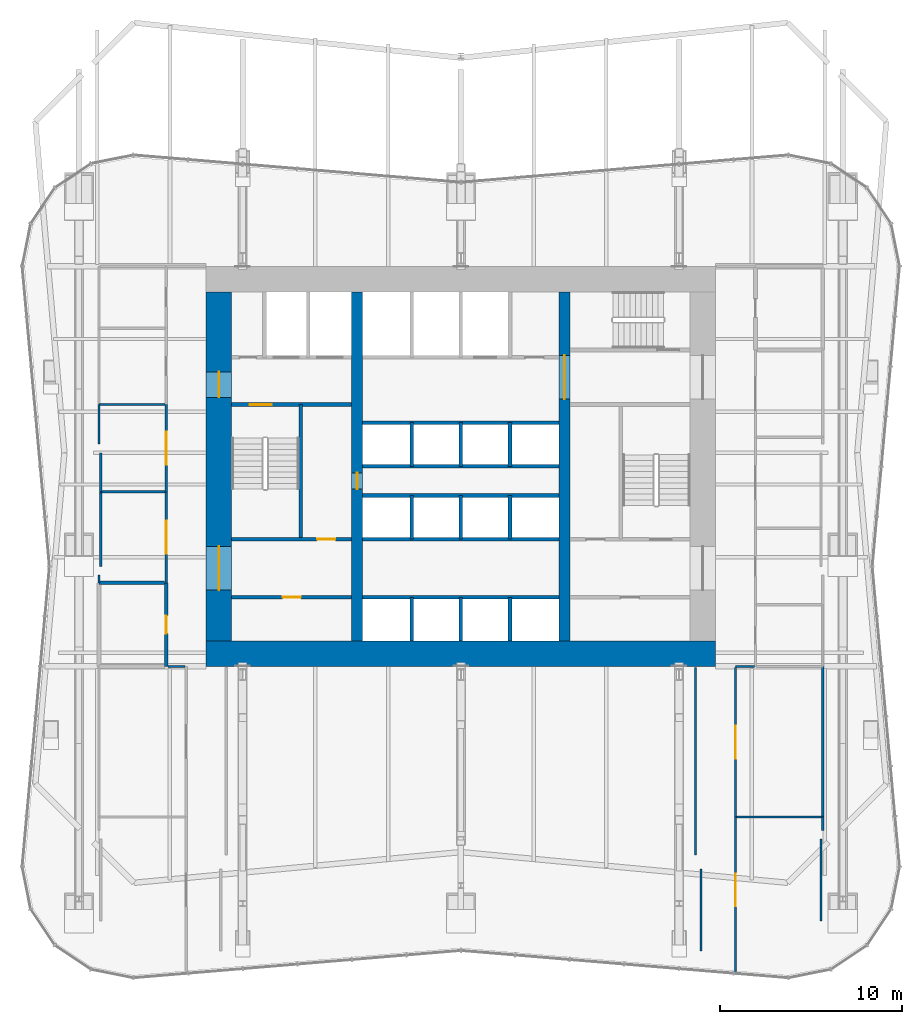
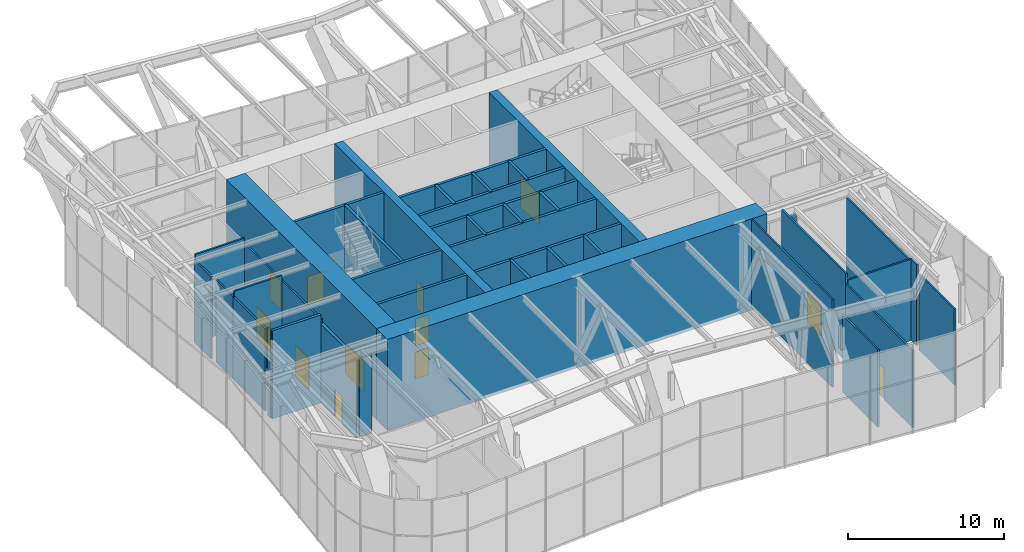
# One storey, part 12 of 17: 42 walls, 12 doors, 12 openings.
"""IFC4 building model written with IfcOpenShell, lengths in metres."""

import ifcopenshell
import ifcopenshell.guid

model = None  # the IFC model being written
_history = None  # IfcOwnerHistory: only IFC2X3 demands one
_inside = {}  # id of a spatial element -> (the spatial element, [elements in it])
_under = {}  # id of a project, library or spatial element -> (it, [spatial elements below it])
_declared = {}  # id of a project -> (the project, [libraries it declares])
_typed = {}  # id of a type object -> (the type object, [elements of that type])
_made_of = {}  # id of a material, layer set ... -> (it, [elements and type objects made of it])


def new_model(schema):
    """Start an empty IFC model of exactly this schema.

    Asked for "IFC4X3", IfcOpenShell would pick the latest addendum, in which some entities
    have other attributes; the version numbers below select the first issue.
    IFC2X3 requires an IfcOwnerHistory on every rooted entity: one is made here for all.
    """
    global model, _history
    if schema == "IFC4X3":
        model = ifcopenshell.file(schema_version=(4, 3, 0, 0))
    else:
        model = ifcopenshell.file(schema=schema)
    _inside.clear()
    _under.clear()
    _declared.clear()
    _typed.clear()
    _made_of.clear()
    _history = None
    if model.schema == "IFC2X3":
        org = make("IfcOrganization", Name="unknown")
        user = make(
            "IfcPersonAndOrganization",
            ThePerson=make("IfcPerson", FamilyName="unknown"),
            TheOrganization=org,
        )
        app = make(
            "IfcApplication",
            ApplicationDeveloper=org,
            Version="unknown",
            ApplicationFullName="unknown",
            ApplicationIdentifier="unknown",
        )
        _history = make(
            "IfcOwnerHistory",
            OwningUser=user,
            OwningApplication=app,
            ChangeAction="ADDED",
            CreationDate=0,
        )
    return model


def make(cls, **values):
    """One entity of the class cls with the attributes given. An attribute that is None is left unset."""
    return model.create_entity(
        cls, **{name: value for name, value in values.items() if value is not None}
    )


def rooted(cls, **values):
    """An entity with a GlobalId (a new one), such as an element, a storey or a relation."""
    return make(cls, GlobalId=ifcopenshell.guid.new(), OwnerHistory=_history, **values)


def si_unit(unit_type, name, prefix=None):
    """IfcSIUnit, for example si_unit("LENGTHUNIT", "METRE", prefix="MILLI")."""
    return make("IfcSIUnit", UnitType=unit_type, Prefix=prefix, Name=name)


def assignment(units):
    """IfcUnitAssignment: the units of a project."""
    return None if units is None else make("IfcUnitAssignment", Units=units)


def point(xyz):
    """IfcCartesianPoint."""
    return None if xyz is None else make("IfcCartesianPoint", Coordinates=xyz)


def direction(xyz):
    """IfcDirection."""
    return None if xyz is None else make("IfcDirection", DirectionRatios=xyz)


def frame(location, z_axis=None, x_axis=None):
    """IfcAxis2Placement3D, a coordinate frame: its origin and axes. An axis left out is left unset."""
    return make(
        "IfcAxis2Placement3D",
        Location=point(location),
        Axis=direction(z_axis),
        RefDirection=direction(x_axis),
    )


def frame_2d(location, x_axis=None):
    """IfcAxis2Placement2D, a coordinate frame in the plane: its origin and x axis."""
    return make(
        "IfcAxis2Placement2D", Location=point(location), RefDirection=direction(x_axis)
    )


def origin():
    """The frame at (0, 0, 0) with its axes left unset."""
    return frame((0.0, 0.0, 0.0))


def place(relative_to, where):
    """IfcLocalPlacement: puts the frame where relative to a parent placement (None: the world)."""
    return make(
        "IfcLocalPlacement", PlacementRelTo=relative_to, RelativePlacement=where
    )


def context(
    kind, dimensions, precision=None, world=None, true_north=None, identifier=None
):
    """IfcGeometricRepresentationContext, for example the 3D "Model" context."""
    return make(
        "IfcGeometricRepresentationContext",
        ContextIdentifier=identifier,
        ContextType=kind,
        CoordinateSpaceDimension=dimensions,
        Precision=precision,
        WorldCoordinateSystem=world,
        TrueNorth=true_north,
    )


def subcontext(parent, identifier, kind, view, scale=None):
    """IfcGeometricRepresentationSubContext, for example "Body" below "Model"."""
    return make(
        "IfcGeometricRepresentationSubContext",
        ContextIdentifier=identifier,
        ContextType=kind,
        ParentContext=parent,
        TargetScale=scale,
        TargetView=view,
    )


def project(units=None, contexts=None):
    """IfcProject with its units and contexts."""
    return rooted(
        "IfcProject",
        Name="project",
        RepresentationContexts=contexts,
        UnitsInContext=assignment(units),
    )


def spatial(cls, under=None, at=None, **own):
    """A site, building, storey or space (cls), placed at a placement, below another one or the project."""
    s = rooted(cls, ObjectPlacement=at, **own)
    if under is not None:
        _under.setdefault(under.id(), (under, []))[1].append(s)
    return s


def profile(cls, at=None, kind="AREA", **sizes):
    """A parametric profile (cls). Its sizes go by their IFC names, for example OverallWidth=200.0."""
    return make(cls, ProfileType=kind, Position=at, **sizes)


def rectangle(**sizes):
    """IfcRectangleProfileDef."""
    return profile("IfcRectangleProfileDef", **sizes)


def extrude(swept, where, along, depth):
    """IfcExtrudedAreaSolid: the profile swept, set in the frame where, extruded along a direction by depth."""
    return make(
        "IfcExtrudedAreaSolid",
        SweptArea=swept,
        Position=where,
        ExtrudedDirection=direction(along),
        Depth=depth,
    )


def shape(context_of_items, identifier, shape_type, items):
    """IfcShapeRepresentation: the items that make up one representation, for example the "Body"."""
    return make(
        "IfcShapeRepresentation",
        ContextOfItems=context_of_items,
        RepresentationIdentifier=identifier,
        RepresentationType=shape_type,
        Items=items,
    )


def material(Name=None, Category=None):
    """IfcMaterial."""
    return make("IfcMaterial", Name=Name, Category=Category)


def layer(
    of_material, thickness, ventilated=None, Name=None, Category=None, Priority=None
):
    """IfcMaterialLayer: one layer of a wall or slab, of a material (None: an air gap)."""
    return make(
        "IfcMaterialLayer",
        Material=of_material,
        LayerThickness=thickness,
        IsVentilated=ventilated,
        Name=Name,
        Category=Category,
        Priority=Priority,
    )


def layer_set(layers, Name=None):
    """IfcMaterialLayerSet."""
    return make("IfcMaterialLayerSet", MaterialLayers=layers, LayerSetName=Name)


def made_of(thing, what):
    """Note that an element or type object is made of a material, layer set ...; save() writes the relation."""
    if what is not None:
        _made_of.setdefault(what.id(), (what, []))[1].append(thing)
    return thing


def type_object(cls, material=None, **own):
    """A type object (cls), such as IfcWallType, which elements share."""
    return made_of(rooted(cls, **own), material)


def element(
    cls,
    number,
    at=None,
    inside=None,
    cuts=None,
    type_object=None,
    material=None,
    context=None,
    identifier="Body",
    shape_type=None,
    held_by="IfcProductDefinitionShape",
    body=None,
    shapes=None,
    **own,
):
    """One element of the class cls, such as IfcWall. Its Tag is "e" and its number.

    at: its placement. inside: the storey or other place that contains it. cuts: it is an
    opening in that element (IfcRelVoidsElement). A single representation is given by context,
    identifier, shape_type and body (its items); several are given by shapes. held_by: the class
    of the entity that holds the representations. save() writes the other relations.
    """
    e = rooted(cls, Tag="e%d" % number, ObjectPlacement=at, **own)
    if body is not None:
        shapes = [shape(context, identifier, shape_type, body)]
    if shapes is not None:
        e.Representation = make(held_by, Representations=shapes)
    if inside is not None:
        _inside.setdefault(inside.id(), (inside, []))[1].append(e)
    if cuts is not None:
        rooted(
            "IfcRelVoidsElement", RelatingBuildingElement=cuts, RelatedOpeningElement=e
        )
    if type_object is not None:
        _typed.setdefault(type_object.id(), (type_object, []))[1].append(e)
    return made_of(e, material)


def fill(opening, filler):
    """IfcRelFillsElement: the door or window that sits in an opening."""
    return rooted(
        "IfcRelFillsElement",
        RelatingOpeningElement=opening,
        RelatedBuildingElement=filler,
    )


def aggregate(whole, parts):
    """IfcRelAggregates: a whole, such as a stair, and the parts it consists of."""
    return rooted("IfcRelAggregates", RelatingObject=whole, RelatedObjects=parts)


def save(model, path):
    """Write the relations noted so far, then the file.

    IfcRelAggregates (storeys below a building ...), IfcRelContainedInSpatialStructure (elements
    in a storey), IfcRelDefinesByType, IfcRelAssociatesMaterial and IfcRelDeclares: one each for
    every whole, place, type object, material and project.
    """
    for whole, parts in _under.values():
        aggregate(whole, parts)
    for where, things in _inside.values():
        rooted(
            "IfcRelContainedInSpatialStructure",
            RelatedElements=things,
            RelatingStructure=where,
        )
    for kind, things in _typed.values():
        rooted("IfcRelDefinesByType", RelatedObjects=things, RelatingType=kind)
    for what, things in _made_of.values():
        rooted("IfcRelAssociatesMaterial", RelatedObjects=things, RelatingMaterial=what)
    for by, libraries in _declared.values():
        rooted("IfcRelDeclares", RelatingContext=by, RelatedDefinitions=libraries)
    model.write(path)


model = new_model("IFC4")

# Units and contexts
model_context = context("Model", 3, precision=1e-05, world=origin(), true_north=direction((0.0, 1.0)))
body_context = subcontext(model_context, "Body", "Model", "MODEL_VIEW")
ifc_project = project(units=[si_unit("LENGTHUNIT", "METRE"), si_unit("AREAUNIT", "SQUARE_METRE"), si_unit("VOLUMEUNIT", "CUBIC_METRE"), si_unit("PLANEANGLEUNIT", "RADIAN"), si_unit("MASSUNIT", "GRAM", prefix="KILO")], contexts=[model_context])

# Site, building, storey
site_placement = place(None, origin())
site = spatial("IfcSite", under=ifc_project, at=site_placement, CompositionType="ELEMENT")
building_placement = place(site_placement, origin())
building = spatial("IfcBuilding", under=site, at=building_placement, Name="Verdant Reach Tower", CompositionType="ELEMENT")
storey_placement = place(building_placement, frame((0.0, 0.0, 58.0)))
storey = spatial("IfcBuildingStorey", under=building, at=storey_placement, Name="L13 Plant", CompositionType="ELEMENT", Elevation=58.0)

# Wall, opening, door
ifc_material_1 = material(Name="Gypsum board on steel studs", Category="steel")
ifc_layer_1 = layer(ifc_material_1, 0.199951171875)
ifc_layer_set_1 = layer_set([ifc_layer_1], Name="CO-WALL-ROOM")
wall_type_1 = type_object("IfcWallType", Name="CO-WALL-ROOM", PredefinedType="PARTITIONING", material=ifc_layer_set_1)
wall_1_placement = place(storey_placement, frame((-12.60009765625, 20.800048828125, 0.0), z_axis=(0.0, 0.0, 1.0), x_axis=(1.0, 0.0, 0.0)))
wall_1 = element("IfcWall", 1, at=wall_1_placement, inside=storey, type_object=wall_type_1, Name="Core partition, L13 Plant", PredefinedType="PARTITIONING", context=body_context, shape_type="SweptSolid", body=[
    extrude(rectangle(XDim=6.60009765625, YDim=0.199951171875, at=frame_2d((3.300048828125, 0.0))), origin(), (0.0, 0.0, 1.0), 6.8701171875),
])
opening_1_placement = place(wall_1_placement, frame((2.800048828125, 0.0, 0.0)))
opening_1 = element("IfcOpeningElement", 2, at=opening_1_placement, cuts=wall_1, Name="Opening CD", PredefinedType="OPENING", context=body_context, shape_type="SweptSolid", body=[
    extrude(rectangle(XDim=1.0, YDim=2.10009765625, at=frame_2d((0.5, 1.050048828125))), frame((0.0, 0.10986328125, 0.0), z_axis=(0.0, -1.0, 0.0), x_axis=(1.0, 0.0, 0.0)), (0.0, 0.0, 1.0), 0.219970703125),
])
ifc_material_2 = material(Name="Timber", Category="wood")
door_type_1 = type_object("IfcDoorType", Name="CO-DOOR-ROOM", OperationType="NOTDEFINED", PredefinedType="DOOR", material=ifc_material_2)
door_1_placement = place(opening_1_placement, origin())
door_1 = element("IfcDoor", 3, at=door_1_placement, inside=storey, type_object=door_type_1, Name="Core room door, L13 Plant", OperationType="SINGLE_SWING_LEFT", OverallHeight=2.10009765625, OverallWidth=1.0, PredefinedType="DOOR", context=body_context, shape_type="SweptSolid", body=[
    extrude(rectangle(XDim=1.0, YDim=2.10009765625, at=frame_2d((0.5, 1.050048828125))), frame((0.0, 0.02490234375, 0.0), z_axis=(0.0, -1.0, 0.0), x_axis=(1.0, 0.0, 0.0)), (0.0, 0.0, 1.0), 0.050048828125),
])
fill(opening_1, door_1)

# Walls
ifc_material_3 = material(Name="Concrete C40/50", Category="concrete")
ifc_layer_2 = layer(ifc_material_3, 0.199951171875)
ifc_layer_set_2 = layer_set([ifc_layer_2], Name="CO-WALL-SHAFT")
wall_type_2 = type_object("IfcWallType", Name="CO-WALL-SHAFT", PredefinedType="PARTITIONING", material=ifc_layer_set_2)
for number, where, z_axis, x_axis, name in (
    (4, (-5.39990234375, 20.800048828125, 0.0), (0.0, 0.0, 1.0), (1.0, 0.0, 0.0), "Lift shaft wall, L13 Plant"),
    (5, (-5.39990234375, 24.0, 0.0), (0.0, 0.0, 1.0), (1.0, 0.0, 0.0), "Lift shaft wall, L13 Plant"),
    (6, (-5.39990234375, 26.39990234375, 0.0), (0.0, 0.0, 1.0), (1.0, 0.0, 0.0), "Lift shaft wall, L13 Plant"),
    (7, (-5.39990234375, 28.0, 0.0), (0.0, 0.0, 1.0), (1.0, 0.0, 0.0), "Lift shaft wall, L13 Plant"),
    (8, (-5.39990234375, 30.39990234375, 0.0), (0.0, 0.0, 1.0), (1.0, 0.0, 0.0), "Lift shaft wall, L13 Plant"),
):
    element("IfcWall", number, at=place(storey_placement, frame(where, z_axis=z_axis, x_axis=x_axis)), inside=storey, type_object=wall_type_2, Name=name, PredefinedType="PARTITIONING", context=body_context, shape_type="SweptSolid", body=[
        extrude(rectangle(XDim=10.7998046875, YDim=0.199951171875, at=frame_2d((5.39990234375, 0.0))), origin(), (0.0, 0.0, 1.0), 6.8701171875),
    ])
wall_2_placement = place(storey_placement, frame((-2.699951171875, 18.39990234375, 0.0), z_axis=(0.0, 0.0, 1.0), x_axis=(0.0, 1.0, 0.0)))
element("IfcWall", 9, at=wall_2_placement, inside=storey, type_object=wall_type_2, Name="Lift shaft wall, L13 Plant", PredefinedType="PARTITIONING", context=body_context, shape_type="SweptSolid", body=[
    extrude(rectangle(XDim=2.400146484375, YDim=0.199951171875, at=frame_2d((1.2001953125, 0.0))), origin(), (0.0, 0.0, 1.0), 6.8701171875),
])
for number, where, z_axis, x_axis, name in (
    (10, (-2.699951171875, 24.0, 0.0), (0.0, 0.0, 1.0), (0.0, 1.0, 0.0), "Lift shaft wall, L13 Plant"),
    (11, (-2.699951171875, 28.0, 0.0), (0.0, 0.0, 1.0), (0.0, 1.0, 0.0), "Lift shaft wall, L13 Plant"),
):
    element("IfcWall", number, at=place(storey_placement, frame(where, z_axis=z_axis, x_axis=x_axis)), inside=storey, type_object=wall_type_2, Name=name, PredefinedType="PARTITIONING", context=body_context, shape_type="SweptSolid", body=[
        extrude(rectangle(XDim=2.39990234375, YDim=0.199951171875, at=frame_2d((1.199951171875, 0.0))), origin(), (0.0, 0.0, 1.0), 6.8701171875),
    ])
wall_3_placement = place(storey_placement, frame((0.0, 18.39990234375, 0.0), z_axis=(0.0, 0.0, 1.0), x_axis=(0.0, 1.0, 0.0)))
element("IfcWall", 12, at=wall_3_placement, inside=storey, type_object=wall_type_2, Name="Lift shaft wall, L13 Plant", PredefinedType="PARTITIONING", context=body_context, shape_type="SweptSolid", body=[
    extrude(rectangle(XDim=2.400146484375, YDim=0.199951171875, at=frame_2d((1.2001953125, 0.0))), origin(), (0.0, 0.0, 1.0), 6.8701171875),
])
for number, where, z_axis, x_axis, name in (
    (13, (0.0, 24.0, 0.0), (0.0, 0.0, 1.0), (0.0, 1.0, 0.0), "Lift shaft wall, L13 Plant"),
    (14, (0.0, 28.0, 0.0), (0.0, 0.0, 1.0), (0.0, 1.0, 0.0), "Lift shaft wall, L13 Plant"),
):
    element("IfcWall", number, at=place(storey_placement, frame(where, z_axis=z_axis, x_axis=x_axis)), inside=storey, type_object=wall_type_2, Name=name, PredefinedType="PARTITIONING", context=body_context, shape_type="SweptSolid", body=[
        extrude(rectangle(XDim=2.39990234375, YDim=0.199951171875, at=frame_2d((1.199951171875, 0.0))), origin(), (0.0, 0.0, 1.0), 6.8701171875),
    ])
wall_4_placement = place(storey_placement, frame((2.699951171875, 18.39990234375, 0.0), z_axis=(0.0, 0.0, 1.0), x_axis=(0.0, 1.0, 0.0)))
element("IfcWall", 15, at=wall_4_placement, inside=storey, type_object=wall_type_2, Name="Lift shaft wall, L13 Plant", PredefinedType="PARTITIONING", context=body_context, shape_type="SweptSolid", body=[
    extrude(rectangle(XDim=2.400146484375, YDim=0.199951171875, at=frame_2d((1.2001953125, 0.0))), origin(), (0.0, 0.0, 1.0), 6.8701171875),
])
for number, where, z_axis, x_axis, name in (
    (16, (2.699951171875, 24.0, 0.0), (0.0, 0.0, 1.0), (0.0, 1.0, 0.0), "Lift shaft wall, L13 Plant"),
    (17, (2.699951171875, 28.0, 0.0), (0.0, 0.0, 1.0), (0.0, 1.0, 0.0), "Lift shaft wall, L13 Plant"),
):
    element("IfcWall", number, at=place(storey_placement, frame(where, z_axis=z_axis, x_axis=x_axis)), inside=storey, type_object=wall_type_2, Name=name, PredefinedType="PARTITIONING", context=body_context, shape_type="SweptSolid", body=[
        extrude(rectangle(XDim=2.39990234375, YDim=0.199951171875, at=frame_2d((1.199951171875, 0.0))), origin(), (0.0, 0.0, 1.0), 6.8701171875),
    ])

# Wall, opening, door
ifc_layer_3 = layer(ifc_material_3, 0.199951171875)
ifc_layer_set_3 = layer_set([ifc_layer_3], Name="CO-WALL-STAIR")
wall_type_3 = type_object("IfcWallType", Name="CO-WALL-STAIR", PredefinedType="PARTITIONING", material=ifc_layer_set_3)
wall_5_placement = place(storey_placement, frame((-12.60009765625, 24.0, 0.0), z_axis=(0.0, 0.0, 1.0), x_axis=(1.0, 0.0, 0.0)))
wall_5 = element("IfcWall", 18, at=wall_5_placement, inside=storey, type_object=wall_type_3, Name="Stair enclosure wall, L13 Plant", PredefinedType="PARTITIONING", context=body_context, shape_type="SweptSolid", body=[
    extrude(rectangle(XDim=6.60009765625, YDim=0.199951171875, at=frame_2d((3.300048828125, 0.0))), origin(), (0.0, 0.0, 1.0), 6.8701171875),
])
opening_2_placement = place(wall_5_placement, frame((4.699951171875, 0.0, 0.0)))
opening_2 = element("IfcOpeningElement", 19, at=opening_2_placement, cuts=wall_5, Name="Opening CD", PredefinedType="OPENING", context=body_context, shape_type="SweptSolid", body=[
    extrude(rectangle(XDim=1.0, YDim=2.10009765625, at=frame_2d((0.5, 1.050048828125))), frame((0.0, 0.10986328125, 0.0), z_axis=(0.0, -1.0, 0.0), x_axis=(1.0, 0.0, 0.0)), (0.0, 0.0, 1.0), 0.219970703125),
])
door_2_placement = place(opening_2_placement, origin())
door_2 = element("IfcDoor", 20, at=door_2_placement, inside=storey, type_object=door_type_1, Name="Core room door, L13 Plant", OperationType="SINGLE_SWING_RIGHT", OverallHeight=2.10009765625, OverallWidth=1.0, PredefinedType="DOOR", context=body_context, shape_type="SweptSolid", body=[
    extrude(rectangle(XDim=1.0, YDim=2.10009765625, at=frame_2d((0.5, 1.050048828125))), frame((0.0, 0.02490234375, 0.0), z_axis=(0.0, -1.0, 0.0), x_axis=(1.0, 0.0, 0.0)), (0.0, 0.0, 1.0), 0.050048828125),
])
fill(opening_2, door_2)

wall_6_placement = place(storey_placement, frame((-12.60009765625, 31.39990234375, 0.0), z_axis=(0.0, 0.0, 1.0), x_axis=(1.0, 0.0, 0.0)))
wall_6 = element("IfcWall", 21, at=wall_6_placement, inside=storey, type_object=wall_type_3, Name="Stair enclosure wall, L13 Plant", PredefinedType="PARTITIONING", context=body_context, shape_type="SweptSolid", body=[
    extrude(rectangle(XDim=6.60009765625, YDim=0.199951171875, at=frame_2d((3.300048828125, 0.0))), origin(), (0.0, 0.0, 1.0), 6.8701171875),
])
opening_3_placement = place(wall_6_placement, frame((1.0, 0.0, 0.0)))
opening_3 = element("IfcOpeningElement", 22, at=opening_3_placement, cuts=wall_6, Name="Opening SD", PredefinedType="OPENING", context=body_context, shape_type="SweptSolid", body=[
    extrude(rectangle(XDim=1.199951171875, YDim=2.199951171875, at=frame_2d((0.60009765625, 1.10009765625))), frame((0.0, 0.10986328125, 0.0), z_axis=(0.0, -1.0, 0.0), x_axis=(1.0, 0.0, 0.0)), (0.0, 0.0, 1.0), 0.219970703125),
])
ifc_material_4 = material(Name="Steel", Category="steel")
door_type_2 = type_object("IfcDoorType", Name="CO-DOOR-STAIR", OperationType="NOTDEFINED", PredefinedType="DOOR", material=ifc_material_4)
door_3_placement = place(opening_3_placement, origin())
door_3 = element("IfcDoor", 23, at=door_3_placement, inside=storey, type_object=door_type_2, Name="Stair door, L13 Plant", OperationType="SINGLE_SWING_RIGHT", OverallHeight=2.199951171875, OverallWidth=1.199951171875, PredefinedType="DOOR", context=body_context, shape_type="SweptSolid", body=[
    extrude(rectangle(XDim=1.199951171875, YDim=2.199951171875, at=frame_2d((0.60009765625, 1.10009765625))), frame((0.0, 0.02490234375, 0.0), z_axis=(0.0, -1.0, 0.0), x_axis=(1.0, 0.0, 0.0)), (0.0, 0.0, 1.0), 0.050048828125),
])
fill(opening_3, door_3)

# Walls
wall_7_placement = place(storey_placement, frame((-8.800048828125, 24.0, 0.0), z_axis=(0.0, 0.0, 1.0), x_axis=(0.0, 1.0, 0.0)))
element("IfcWall", 24, at=wall_7_placement, inside=storey, type_object=wall_type_3, Name="Stair enclosure wall, L13 Plant", PredefinedType="PARTITIONING", context=body_context, shape_type="SweptSolid", body=[
    extrude(rectangle(XDim=7.39990234375, YDim=0.199951171875, at=frame_2d((3.699951171875, 0.0))), origin(), (0.0, 0.0, 1.0), 6.8701171875),
])
ifc_material_5 = material(Name="Concrete C70/85", Category="concrete")
ifc_layer_4 = layer(ifc_material_5, 1.39990234375)
ifc_layer_set_4 = layer_set([ifc_layer_4], Name="ST-CORE-WALL-1400")
wall_type_4 = type_object("IfcWallType", Name="ST-CORE-WALL-1400", PredefinedType="SHEAR", material=ifc_layer_set_4)
wall_8_placement = place(storey_placement, frame((-14.0, 17.699951171875, -0.25), z_axis=(0.0, 0.0, 1.0), x_axis=(1.0, 0.0, 0.0)))
element("IfcWall", 25, at=wall_8_placement, inside=storey, type_object=wall_type_4, Name="Core wall S, L13 Plant", PredefinedType="SHEAR", context=body_context, shape_type="SweptSolid", body=[
    extrude(rectangle(XDim=28.0, YDim=1.39990234375, at=frame_2d((14.0, 0.0))), origin(), (0.0, 0.0, 1.0), 7.1201171875),
])

# Wall, openings, doors
wall_9_placement = place(storey_placement, frame((-13.300048828125, 18.39990234375, -0.25), z_axis=(0.0, 0.0, 1.0), x_axis=(0.0, 1.0, 0.0)))
wall_9 = element("IfcWall", 26, at=wall_9_placement, inside=storey, type_object=wall_type_4, Name="Core wall W, L13 Plant", PredefinedType="SHEAR", context=body_context, shape_type="SweptSolid", body=[
    extrude(rectangle(XDim=19.2001953125, YDim=1.39990234375, at=frame_2d((9.60009765625, 0.0))), origin(), (0.0, 0.0, 1.0), 7.1201171875),
])
opening_4_placement = place(wall_9_placement, frame((2.800048828125, 0.0, 0.25)))
opening_4 = element("IfcOpeningElement", 27, at=opening_4_placement, cuts=wall_9, Name="Opening LB", PredefinedType="OPENING", context=body_context, shape_type="SweptSolid", body=[
    extrude(rectangle(XDim=2.39990234375, YDim=2.39990234375, at=frame_2d((1.199951171875, 1.199951171875))), frame((0.0, 0.7099609375, 0.0), z_axis=(0.0, -1.0, 0.0), x_axis=(1.0, 0.0, 0.0)), (0.0, 0.0, 1.0), 1.419921875),
])
opening_5_placement = place(wall_9_placement, frame((13.39990234375, 0.0, 0.25)))
opening_5 = element("IfcOpeningElement", 28, at=opening_5_placement, cuts=wall_9, Name="Opening FL", PredefinedType="OPENING", context=body_context, shape_type="SweptSolid", body=[
    extrude(rectangle(XDim=1.39990234375, YDim=2.199951171875, at=frame_2d((0.699951171875, 1.10009765625))), frame((0.0, 0.7099609375, 0.0), z_axis=(0.0, -1.0, 0.0), x_axis=(1.0, 0.0, 0.0)), (0.0, 0.0, 1.0), 1.419921875),
])
door_type_3 = type_object("IfcDoorType", Name="CO-DOOR-FFL", OperationType="NOTDEFINED", PredefinedType="DOOR", material=ifc_material_4)
door_4_placement = place(opening_5_placement, origin())
door_4 = element("IfcDoor", 29, at=door_4_placement, inside=storey, type_object=door_type_3, Name="Core entrance door, L13 Plant", OperationType="SINGLE_SWING_RIGHT", OverallHeight=2.199951171875, OverallWidth=1.39990234375, PredefinedType="DOOR", context=body_context, shape_type="SweptSolid", body=[
    extrude(rectangle(XDim=1.39990234375, YDim=2.199951171875, at=frame_2d((0.699951171875, 1.10009765625))), frame((0.0, 0.02490234375, 0.0), z_axis=(0.0, -1.0, 0.0), x_axis=(1.0, 0.0, 0.0)), (0.0, 0.0, 1.0), 0.050048828125),
])
fill(opening_5, door_4)
ifc_material_6 = material(Name="Glass and steel", Category="steel")
door_type_4 = type_object("IfcDoorType", Name="CO-DOOR-LOBBY", OperationType="DOUBLE_DOOR_SINGLE_SWING", PredefinedType="DOOR", material=ifc_material_6)
door_5_placement = place(opening_4_placement, origin())
door_5 = element("IfcDoor", 30, at=door_5_placement, inside=storey, type_object=door_type_4, Name="Core entrance door, L13 Plant", OperationType="DOUBLE_DOOR_SINGLE_SWING", OverallHeight=2.39990234375, OverallWidth=2.39990234375, PredefinedType="DOOR", context=body_context, shape_type="SweptSolid", body=[
    extrude(rectangle(XDim=2.39990234375, YDim=2.39990234375, at=frame_2d((1.199951171875, 1.199951171875))), frame((0.0, 0.02490234375, 0.0), z_axis=(0.0, -1.0, 0.0), x_axis=(1.0, 0.0, 0.0)), (0.0, 0.0, 1.0), 0.050048828125),
])
fill(opening_4, door_5)

# Wall, opening, door
ifc_layer_5 = layer(ifc_material_5, 0.60009765625)
ifc_layer_set_5 = layer_set([ifc_layer_5], Name="ST-CORE-WALL-600")
wall_type_5 = type_object("IfcWallType", Name="ST-CORE-WALL-600", PredefinedType="SHEAR", material=ifc_layer_set_5)
wall_10_placement = place(storey_placement, frame((-5.699951171875, 18.39990234375, -0.25), z_axis=(0.0, 0.0, 1.0), x_axis=(0.0, 1.0, 0.0)))
wall_10 = element("IfcWall", 31, at=wall_10_placement, inside=storey, type_object=wall_type_5, Name="Core wall XW, L13 Plant", PredefinedType="SHEAR", context=body_context, shape_type="SweptSolid", body=[
    extrude(rectangle(XDim=19.2001953125, YDim=0.60009765625, at=frame_2d((9.60009765625, 0.0))), origin(), (0.0, 0.0, 1.0), 7.1201171875),
])
opening_6_placement = place(wall_10_placement, frame((8.35009765625, 0.0, 0.25)))
opening_6 = element("IfcOpeningElement", 32, at=opening_6_placement, cuts=wall_10, Name="Opening RD", PredefinedType="OPENING", context=body_context, shape_type="SweptSolid", body=[
    extrude(rectangle(XDim=0.89990234375, YDim=2.10009765625, at=frame_2d((0.449951171875, 1.050048828125))), frame((0.0, 0.31005859375, 0.0), z_axis=(0.0, -1.0, 0.0), x_axis=(1.0, 0.0, 0.0)), (0.0, 0.0, 1.0), 0.6201171875),
])
door_type_5 = type_object("IfcDoorType", Name="CO-DOOR-RISER", OperationType="NOTDEFINED", PredefinedType="DOOR", material=ifc_material_4)
door_6_placement = place(opening_6_placement, origin())
door_6 = element("IfcDoor", 33, at=door_6_placement, inside=storey, type_object=door_type_5, Name="Riser door, L13 Plant", OperationType="SINGLE_SWING_RIGHT", OverallHeight=2.10009765625, OverallWidth=0.89990234375, PredefinedType="DOOR", context=body_context, shape_type="SweptSolid", body=[
    extrude(rectangle(XDim=0.89990234375, YDim=2.10009765625, at=frame_2d((0.449951171875, 1.050048828125))), frame((0.0, 0.02490234375, 0.0), z_axis=(0.0, -1.0, 0.0), x_axis=(1.0, 0.0, 0.0)), (0.0, 0.0, 1.0), 0.050048828125),
])
fill(opening_6, door_6)

wall_11_placement = place(storey_placement, frame((5.699951171875, 18.39990234375, -0.25), z_axis=(0.0, 0.0, 1.0), x_axis=(0.0, 1.0, 0.0)))
wall_11 = element("IfcWall", 34, at=wall_11_placement, inside=storey, type_object=wall_type_5, Name="Core wall XE, L13 Plant", PredefinedType="SHEAR", context=body_context, shape_type="SweptSolid", body=[
    extrude(rectangle(XDim=19.2001953125, YDim=0.60009765625, at=frame_2d((9.60009765625, 0.0))), origin(), (0.0, 0.0, 1.0), 7.1201171875),
])
opening_7_placement = place(wall_11_placement, frame((13.300048828125, 0.0, 0.25)))
opening_7 = element("IfcOpeningElement", 35, at=opening_7_placement, cuts=wall_11, Name="Opening LB", PredefinedType="OPENING", context=body_context, shape_type="SweptSolid", body=[
    extrude(rectangle(XDim=2.39990234375, YDim=2.39990234375, at=frame_2d((1.199951171875, 1.199951171875))), frame((0.0, 0.31005859375, 0.0), z_axis=(0.0, -1.0, 0.0), x_axis=(1.0, 0.0, 0.0)), (0.0, 0.0, 1.0), 0.6201171875),
])
door_7_placement = place(opening_7_placement, origin())
door_7 = element("IfcDoor", 36, at=door_7_placement, inside=storey, type_object=door_type_4, Name="Core entrance door, L13 Plant", OperationType="DOUBLE_DOOR_SINGLE_SWING", OverallHeight=2.39990234375, OverallWidth=2.39990234375, PredefinedType="DOOR", context=body_context, shape_type="SweptSolid", body=[
    extrude(rectangle(XDim=2.39990234375, YDim=2.39990234375, at=frame_2d((1.199951171875, 1.199951171875))), frame((0.0, 0.02490234375, 0.0), z_axis=(0.0, -1.0, 0.0), x_axis=(1.0, 0.0, 0.0)), (0.0, 0.0, 1.0), 0.050048828125),
])
fill(opening_7, door_7)

ifc_material_7 = material(Name="Gypsum board on steel studs, fire rated", Category="steel")
ifc_layer_6 = layer(ifc_material_7, 0.125)
ifc_layer_set_6 = layer_set([ifc_layer_6], Name="SV-W2 Plant wall 125 EI 60")
wall_type_6 = type_object("IfcWallType", Name="SV-W2 Plant wall 125 EI 60", PredefinedType="PARTITIONING", material=ifc_layer_set_6)
wall_12_placement = place(storey_placement, frame((15.10009765625, 8.72705078125, 0.0), z_axis=(0.0, 0.0, 1.0), x_axis=(0.0, -1.0, 0.0)))
wall_12 = element("IfcWall", 37, at=wall_12_placement, inside=storey, type_object=wall_type_6, Name="Partition L13.06", PredefinedType="PARTITIONING", context=body_context, shape_type="SweptSolid", body=[
    extrude(rectangle(XDim=8.5654296875, YDim=0.125, at=frame_2d((4.28271484375, 0.0))), origin(), (0.0, 0.0, 1.0), 6.0400390625),
])
opening_8_placement = place(wall_12_placement, frame((3.116943359375, 0.0, 0.0)))
opening_8 = element("IfcOpeningElement", 38, at=opening_8_placement, cuts=wall_12, Name="Opening SD3", PredefinedType="OPENING", context=body_context, shape_type="SweptSolid", body=[
    extrude(rectangle(XDim=1.800048828125, YDim=2.39990234375, at=frame_2d((0.89990234375, 1.199951171875))), frame((0.0, 0.072509765625, 0.0), z_axis=(0.0, -1.0, 0.0), x_axis=(1.0, 0.0, 0.0)), (0.0, 0.0, 1.0), 0.14501953125),
])
ifc_material_8 = material(Name="Steel door leaves, fire rated", Category="steel")
door_type_6 = type_object("IfcDoorType", Name="SV-D3 Equipment door 1800x2400 FD60", OperationType="DOUBLE_DOOR_SINGLE_SWING", PredefinedType="DOOR", material=ifc_material_8)
door_8_placement = place(opening_8_placement, origin())
door_8 = element("IfcDoor", 39, at=door_8_placement, inside=storey, type_object=door_type_6, Name="Door L13-006", OperationType="DOUBLE_DOOR_SINGLE_SWING", OverallHeight=2.39990234375, OverallWidth=1.800048828125, PredefinedType="DOOR", context=body_context, shape_type="SweptSolid", body=[
    extrude(rectangle(XDim=1.800048828125, YDim=2.39990234375, at=frame_2d((0.89990234375, 1.199951171875))), frame((0.0, 0.02490234375, 0.0), z_axis=(0.0, -1.0, 0.0), x_axis=(1.0, 0.0, 0.0)), (0.0, 0.0, 1.0), 0.050048828125),
])
fill(opening_8, door_8)

# Wall
wall_13_placement = place(storey_placement, frame((16.137451171875, 17.0, 0.0), z_axis=(0.0, 0.0, 1.0), x_axis=(-1.0, 0.0, 0.0)))
element("IfcWall", 40, at=wall_13_placement, inside=storey, type_object=wall_type_6, Name="Partition L13.07", PredefinedType="PARTITIONING", context=body_context, shape_type="SweptSolid", body=[
    extrude(rectangle(XDim=1.037353515625, YDim=0.125, at=frame_2d((0.5185546875, 0.0))), origin(), (0.0, 0.0, 1.0), 6.139892578125),
])

# Wall, opening, door
wall_14_placement = place(storey_placement, frame((15.10009765625, 16.9375, 0.0), z_axis=(0.0, 0.0, 1.0), x_axis=(0.0, -1.0, 0.0)))
wall_14 = element("IfcWall", 41, at=wall_14_placement, inside=storey, type_object=wall_type_6, Name="Partition L13.08", PredefinedType="PARTITIONING", context=body_context, shape_type="SweptSolid", body=[
    extrude(rectangle(XDim=8.21044921875, YDim=0.125, at=frame_2d((4.105224609375, 0.0))), origin(), (0.0, 0.0, 1.0), 6.8701171875),
])
opening_9_placement = place(wall_14_placement, frame((3.205078125, 0.0, 0.0)))
opening_9 = element("IfcOpeningElement", 42, at=opening_9_placement, cuts=wall_14, Name="Opening SD3", PredefinedType="OPENING", context=body_context, shape_type="SweptSolid", body=[
    extrude(rectangle(XDim=1.800048828125, YDim=2.39990234375, at=frame_2d((0.89990234375, 1.199951171875))), frame((0.0, 0.072509765625, 0.0), z_axis=(0.0, -1.0, 0.0), x_axis=(1.0, 0.0, 0.0)), (0.0, 0.0, 1.0), 0.14501953125),
])
door_9_placement = place(opening_9_placement, origin())
door_9 = element("IfcDoor", 43, at=door_9_placement, inside=storey, type_object=door_type_6, Name="Door L13-007", OperationType="DOUBLE_DOOR_SINGLE_SWING", OverallHeight=2.39990234375, OverallWidth=1.800048828125, PredefinedType="DOOR", context=body_context, shape_type="SweptSolid", body=[
    extrude(rectangle(XDim=1.800048828125, YDim=2.39990234375, at=frame_2d((0.89990234375, 1.199951171875))), frame((0.0, 0.02490234375, 0.0), z_axis=(0.0, -1.0, 0.0), x_axis=(1.0, 0.0, 0.0)), (0.0, 0.0, 1.0), 0.050048828125),
])
fill(opening_9, door_9)

# Wall
wall_15_placement = place(storey_placement, frame((15.16259765625, 8.72705078125, 0.0), z_axis=(0.0, 0.0, 1.0), x_axis=(1.0, 0.0, 0.0)))
element("IfcWall", 44, at=wall_15_placement, inside=storey, type_object=wall_type_6, Name="Partition L13.14", PredefinedType="PARTITIONING", context=body_context, shape_type="SweptSolid", body=[
    extrude(rectangle(XDim=4.7373046875, YDim=0.125, at=frame_2d((2.36865234375, 0.0))), origin(), (0.0, 0.0, 1.0), 6.340087890625),
])

# Wall, opening, door
wall_16_placement = place(storey_placement, frame((-16.199951171875, 26.60009765625, 0.0), z_axis=(0.0, 0.0, 1.0), x_axis=(0.0, -1.0, 0.0)))
wall_16 = element("IfcWall", 45, at=wall_16_placement, inside=storey, type_object=wall_type_6, Name="Partition L13.16", PredefinedType="PARTITIONING", context=body_context, shape_type="SweptSolid", body=[
    extrude(rectangle(XDim=5.0, YDim=0.125, at=frame_2d((2.5, 0.0))), origin(), (0.0, 0.0, 1.0), 6.43994140625),
])
opening_10_placement = place(wall_16_placement, frame((1.60009765625, 0.0, 0.0)))
opening_10 = element("IfcOpeningElement", 46, at=opening_10_placement, cuts=wall_16, Name="Opening SD3", PredefinedType="OPENING", context=body_context, shape_type="SweptSolid", body=[
    extrude(rectangle(XDim=1.800048828125, YDim=2.39990234375, at=frame_2d((0.89990234375, 1.199951171875))), frame((0.0, 0.072509765625, 0.0), z_axis=(0.0, -1.0, 0.0), x_axis=(1.0, 0.0, 0.0)), (0.0, 0.0, 1.0), 0.14501953125),
])
door_10_placement = place(opening_10_placement, origin())
door_10 = element("IfcDoor", 47, at=door_10_placement, inside=storey, type_object=door_type_6, Name="Door L13-009", OperationType="DOUBLE_DOOR_SINGLE_SWING", OverallHeight=2.39990234375, OverallWidth=1.800048828125, PredefinedType="DOOR", context=body_context, shape_type="SweptSolid", body=[
    extrude(rectangle(XDim=1.800048828125, YDim=2.39990234375, at=frame_2d((0.89990234375, 1.199951171875))), frame((0.0, 0.02490234375, 0.0), z_axis=(0.0, -1.0, 0.0), x_axis=(1.0, 0.0, 0.0)), (0.0, 0.0, 1.0), 0.050048828125),
])
fill(opening_10, door_10)

wall_17_placement = place(storey_placement, frame((-16.199951171875, 31.39990234375, 0.0), z_axis=(0.0, 0.0, 1.0), x_axis=(0.0, -1.0, 0.0)))
wall_17 = element("IfcWall", 48, at=wall_17_placement, inside=storey, type_object=wall_type_6, Name="Partition L13.17", PredefinedType="PARTITIONING", context=body_context, shape_type="SweptSolid", body=[
    extrude(rectangle(XDim=4.7998046875, YDim=0.125, at=frame_2d((2.39990234375, 0.0))), origin(), (0.0, 0.0, 1.0), 6.43994140625),
])
opening_11_placement = place(wall_17_placement, frame((1.5, 0.0, 0.0)))
opening_11 = element("IfcOpeningElement", 49, at=opening_11_placement, cuts=wall_17, Name="Opening SD3", PredefinedType="OPENING", context=body_context, shape_type="SweptSolid", body=[
    extrude(rectangle(XDim=1.800048828125, YDim=2.39990234375, at=frame_2d((0.89990234375, 1.199951171875))), frame((0.0, 0.072509765625, 0.0), z_axis=(0.0, -1.0, 0.0), x_axis=(1.0, 0.0, 0.0)), (0.0, 0.0, 1.0), 0.14501953125),
])
door_11_placement = place(opening_11_placement, origin())
door_11 = element("IfcDoor", 50, at=door_11_placement, inside=storey, type_object=door_type_6, Name="Door L13-010", OperationType="DOUBLE_DOOR_SINGLE_SWING", OverallHeight=2.39990234375, OverallWidth=1.800048828125, PredefinedType="DOOR", context=body_context, shape_type="SweptSolid", body=[
    extrude(rectangle(XDim=1.800048828125, YDim=2.39990234375, at=frame_2d((0.89990234375, 1.199951171875))), frame((0.0, 0.02490234375, 0.0), z_axis=(0.0, -1.0, 0.0), x_axis=(1.0, 0.0, 0.0)), (0.0, 0.0, 1.0), 0.050048828125),
])
fill(opening_11, door_11)

# Walls
wall_18_placement = place(storey_placement, frame((-15.16259765625, 17.0, 0.0), z_axis=(0.0, 0.0, 1.0), x_axis=(-1.0, 0.0, 0.0)))
element("IfcWall", 51, at=wall_18_placement, inside=storey, type_object=wall_type_6, Name="Partition L13.22", PredefinedType="PARTITIONING", context=body_context, shape_type="SweptSolid", body=[
    extrude(rectangle(XDim=0.9375, YDim=0.125, at=frame_2d((0.46875, 0.0))), origin(), (0.0, 0.0, 1.0), 6.139892578125),
])
wall_19_placement = place(storey_placement, frame((-19.800048828125, 26.60009765625, 0.0), z_axis=(0.0, 0.0, 1.0), x_axis=(1.0, 0.0, 0.0)))
element("IfcWall", 52, at=wall_19_placement, inside=storey, type_object=wall_type_6, Name="Partition L13.25", PredefinedType="PARTITIONING", context=body_context, shape_type="SweptSolid", body=[
    extrude(rectangle(XDim=3.53759765625, YDim=0.125, at=frame_2d((1.768798828125, 0.0))), origin(), (0.0, 0.0, 1.0), 6.8701171875),
])
wall_20_placement = place(storey_placement, frame((-19.89990234375, 31.39990234375, 0.0), z_axis=(0.0, 0.0, 1.0), x_axis=(1.0, 0.0, 0.0)))
element("IfcWall", 53, at=wall_20_placement, inside=storey, type_object=wall_type_6, Name="Partition L13.26", PredefinedType="PARTITIONING", context=body_context, shape_type="SweptSolid", body=[
    extrude(rectangle(XDim=3.637451171875, YDim=0.125, at=frame_2d((1.81884765625, 0.0))), origin(), (0.0, 0.0, 1.0), 6.8701171875),
])
wall_21_placement = place(storey_placement, frame((13.199951171875, 1.35009765625, 0.0), z_axis=(0.0, 0.0, 1.0), x_axis=(0.0, 1.0, 0.0)))
element("IfcWall", 54, at=wall_21_placement, inside=storey, type_object=wall_type_6, Name="Partition L13.29", PredefinedType="PARTITIONING", context=body_context, shape_type="SweptSolid", body=[
    extrude(rectangle(XDim=4.5, YDim=0.125, at=frame_2d((2.25, 0.0))), origin(), (0.0, 0.0, 1.0), 6.0400390625),
])
wall_22_placement = place(storey_placement, frame((12.89990234375, 6.64208984375, 0.0), z_axis=(0.0, 0.0, 1.0), x_axis=(0.0, 1.0, 0.0)))
element("IfcWall", 55, at=wall_22_placement, inside=storey, type_object=wall_type_6, Name="Partition L13.30", PredefinedType="PARTITIONING", context=body_context, shape_type="SweptSolid", body=[
    extrude(rectangle(XDim=10.307861328125, YDim=0.125, at=frame_2d((5.15380859375, 0.0))), origin(), (0.0, 0.0, 1.0), 6.8701171875),
])
wall_23_placement = place(storey_placement, frame((19.89990234375, 8.72509765625, 0.0), z_axis=(0.0, 0.0, 1.0), x_axis=(0.0, -1.0, 0.0)))
element("IfcWall", 56, at=wall_23_placement, inside=storey, type_object=wall_type_6, Name="Partition L13.40", PredefinedType="PARTITIONING", context=body_context, shape_type="SweptSolid", body=[
    extrude(rectangle(XDim=0.7470703125, YDim=0.125, at=frame_2d((0.37353515625, 0.0))), origin(), (0.0, 0.0, 1.0), 6.340087890625),
])
wall_24_placement = place(storey_placement, frame((19.800048828125, 7.5, 0.0), z_axis=(0.0, 0.0, 1.0), x_axis=(0.0, -1.0, 0.0)))
element("IfcWall", 57, at=wall_24_placement, inside=storey, type_object=wall_type_6, Name="Partition L13.41", PredefinedType="PARTITIONING", context=body_context, shape_type="SweptSolid", body=[
    extrude(rectangle(XDim=4.5, YDim=0.125, at=frame_2d((2.25, 0.0))), origin(), (0.0, 0.0, 1.0), 5.929931640625),
])
wall_25_placement = place(storey_placement, frame((19.89990234375, 16.998046875, 0.0), z_axis=(0.0, 0.0, 1.0), x_axis=(0.0, -1.0, 0.0)))
element("IfcWall", 58, at=wall_25_placement, inside=storey, type_object=wall_type_6, Name="Partition L13.42", PredefinedType="PARTITIONING", context=body_context, shape_type="SweptSolid", body=[
    extrude(rectangle(XDim=8.26904296875, YDim=0.125, at=frame_2d((4.134521484375, 0.0))), origin(), (0.0, 0.0, 1.0), 6.139892578125),
])
wall_26_placement = place(storey_placement, frame((-19.89990234375, 21.60205078125, 0.0), z_axis=(0.0, 0.0, 1.0), x_axis=(0.0, 1.0, 0.0)))
element("IfcWall", 59, at=wall_26_placement, inside=storey, type_object=wall_type_6, Name="Partition L13.47", PredefinedType="PARTITIONING", context=body_context, shape_type="SweptSolid", body=[
    extrude(rectangle(XDim=0.419921875, YDim=0.125, at=frame_2d((0.2099609375, 0.0))), origin(), (0.0, 0.0, 1.0), 6.8701171875),
])
wall_27_placement = place(storey_placement, frame((-19.800048828125, 22.5, 0.0), z_axis=(0.0, 0.0, 1.0), x_axis=(0.0, 1.0, 0.0)))
element("IfcWall", 60, at=wall_27_placement, inside=storey, type_object=wall_type_6, Name="Partition L13.48", PredefinedType="PARTITIONING", context=body_context, shape_type="SweptSolid", body=[
    extrude(rectangle(XDim=4.097900390625, YDim=0.125, at=frame_2d((2.048828125, 0.0))), origin(), (0.0, 0.0, 1.0), 6.43994140625),
])
wall_28_placement = place(storey_placement, frame((-19.800048828125, 26.60205078125, 0.0), z_axis=(0.0, 0.0, 1.0), x_axis=(0.0, 1.0, 0.0)))
element("IfcWall", 61, at=wall_28_placement, inside=storey, type_object=wall_type_6, Name="Partition L13.49", PredefinedType="PARTITIONING", context=body_context, shape_type="SweptSolid", body=[
    extrude(rectangle(XDim=2.14794921875, YDim=0.125, at=frame_2d((1.073974609375, 0.0))), origin(), (0.0, 0.0, 1.0), 6.43994140625),
])
wall_29_placement = place(storey_placement, frame((-19.89990234375, 29.22802734375, 0.0), z_axis=(0.0, 0.0, 1.0), x_axis=(0.0, 1.0, 0.0)))
element("IfcWall", 62, at=wall_29_placement, inside=storey, type_object=wall_type_6, Name="Partition L13.50", PredefinedType="PARTITIONING", context=body_context, shape_type="SweptSolid", body=[
    extrude(rectangle(XDim=2.169921875, YDim=0.125, at=frame_2d((1.0849609375, 0.0))), origin(), (0.0, 0.0, 1.0), 6.43994140625),
])

# Wall, opening, door
ifc_material_9 = material(Name="Calcium silicate board on steel studs, fire rated", Category="steel")
ifc_layer_7 = layer(ifc_material_9, 0.199951171875)
ifc_layer_set_7 = layer_set([ifc_layer_7], Name="SV-W3 Fire wall 200 EI 120")
wall_type_7 = type_object("IfcWallType", Name="SV-W3 Fire wall 200 EI 120", PredefinedType="PARTITIONING", material=ifc_layer_set_7)
wall_30_placement = place(storey_placement, frame((-16.199951171875, 21.60009765625, 0.0), z_axis=(0.0, 0.0, 1.0), x_axis=(0.0, -1.0, 0.0)))
wall_30 = element("IfcWall", 63, at=wall_30_placement, inside=storey, type_object=wall_type_7, Name="Partition L13.15", PredefinedType="PARTITIONING", context=body_context, shape_type="SweptSolid", body=[
    extrude(rectangle(XDim=4.60009765625, YDim=0.199951171875, at=frame_2d((2.300048828125, 0.0))), origin(), (0.0, 0.0, 1.0), 6.139892578125),
])
opening_12_placement = place(wall_30_placement, frame((1.800048828125, 0.0, 0.0)))
opening_12 = element("IfcOpeningElement", 64, at=opening_12_placement, cuts=wall_30, Name="Opening SD4", PredefinedType="OPENING", context=body_context, shape_type="SweptSolid", body=[
    extrude(rectangle(XDim=1.0, YDim=2.10009765625, at=frame_2d((0.5, 1.050048828125))), frame((0.0, 0.10986328125, 0.0), z_axis=(0.0, -1.0, 0.0), x_axis=(1.0, 0.0, 0.0)), (0.0, 0.0, 1.0), 0.219970703125),
])
ifc_material_10 = material(Name="Steel door leaf, fire rated", Category="steel")
door_type_7 = type_object("IfcDoorType", Name="SV-D4 Door 1000x2100 FD120", OperationType="NOTDEFINED", PredefinedType="DOOR", material=ifc_material_10)
door_12_placement = place(opening_12_placement, origin())
door_12 = element("IfcDoor", 65, at=door_12_placement, inside=storey, type_object=door_type_7, Name="Door L13-008", OperationType="SINGLE_SWING_RIGHT", OverallHeight=2.10009765625, OverallWidth=1.0, PredefinedType="DOOR", context=body_context, shape_type="SweptSolid", body=[
    extrude(rectangle(XDim=1.0, YDim=2.10009765625, at=frame_2d((0.5, 1.050048828125))), frame((0.0, 0.02490234375, 0.0), z_axis=(0.0, -1.0, 0.0), x_axis=(1.0, 0.0, 0.0)), (0.0, 0.0, 1.0), 0.050048828125),
])
fill(opening_12, door_12)

# Wall
wall_31_placement = place(storey_placement, frame((-19.89990234375, 21.60009765625, 0.0), z_axis=(0.0, 0.0, 1.0), x_axis=(1.0, 0.0, 0.0)))
element("IfcWall", 66, at=wall_31_placement, inside=storey, type_object=wall_type_7, Name="Partition L13.23", PredefinedType="PARTITIONING", context=body_context, shape_type="SweptSolid", body=[
    extrude(rectangle(XDim=3.599853515625, YDim=0.199951171875, at=frame_2d((1.7998046875, 0.0))), origin(), (0.0, 0.0, 1.0), 6.8701171875),
])

save(model, "model.ifc")
